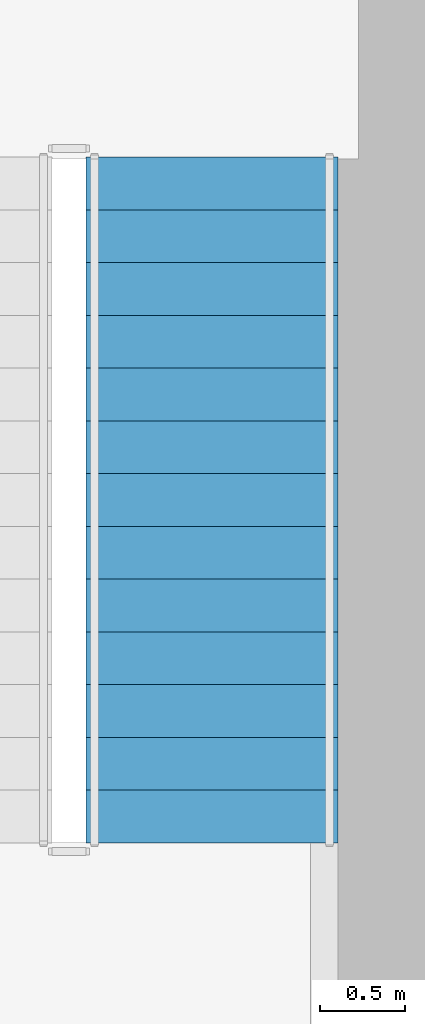
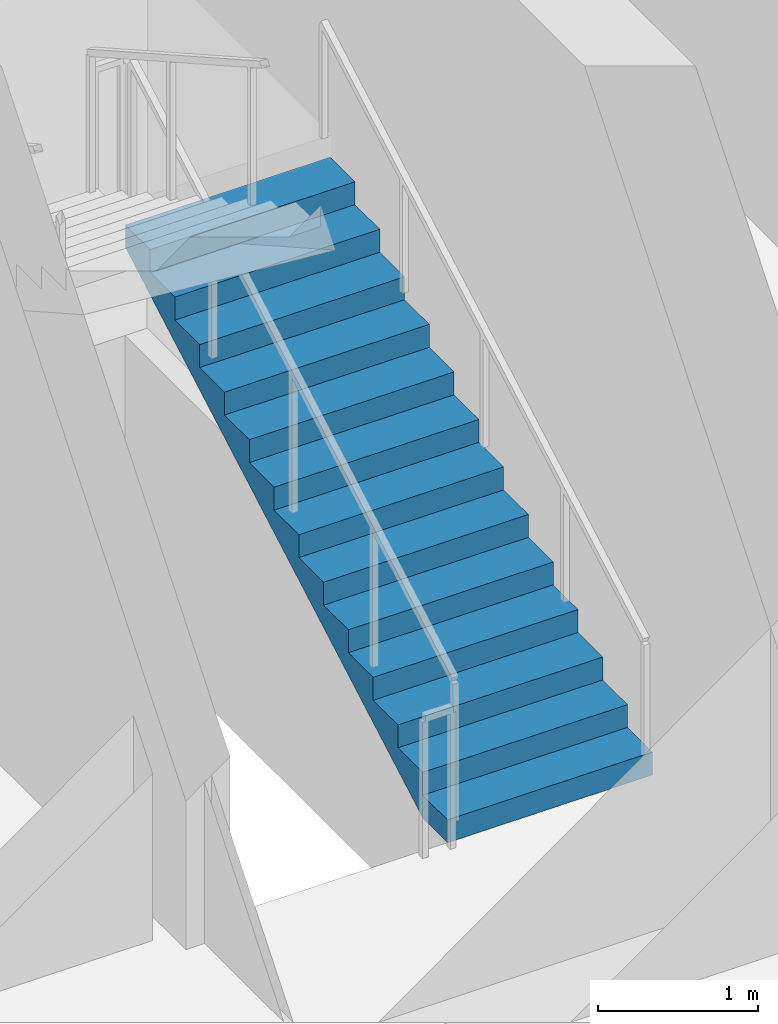
# One storey, part 14 of 16: 1 stair flight, 1 element without a shape of its own.
"""IFC4 building model written with IfcOpenShell, lengths in metres."""

from ifc_helpers import new_model, si_unit, direction, frame, origin, place, context, subcontext, project, spatial, polyline, outline, extrude, material, type_object, element, aggregate, save


model = new_model("IFC4")

# Units and contexts
model_context = context("Model", 3, precision=1e-05, world=origin(), true_north=direction((0.0, 1.0)))
body_context = subcontext(model_context, "Body", "Model", "MODEL_VIEW")
ifc_project = project(units=[si_unit("LENGTHUNIT", "METRE"), si_unit("AREAUNIT", "SQUARE_METRE"), si_unit("VOLUMEUNIT", "CUBIC_METRE"), si_unit("PLANEANGLEUNIT", "RADIAN"), si_unit("MASSUNIT", "GRAM", prefix="KILO")], contexts=[model_context])

# Site, building, storey
site_placement = place(None, origin())
site = spatial("IfcSite", under=ifc_project, at=site_placement, CompositionType="ELEMENT")
building_placement = place(site_placement, origin())
building = spatial("IfcBuilding", under=site, at=building_placement, Name="Solanera Arch Residences", CompositionType="ELEMENT")
storey_placement = place(building_placement, frame((0.0, 0.0, 278.080078125)))
storey = spatial("IfcBuildingStorey", under=building, at=storey_placement, Name="L80", CompositionType="ELEMENT", Elevation=278.080078125)

# Stair, stair flight
ifc_material_1 = material(Name="Concrete C40/50 (f'c = 45 MPa)", Category="concrete")
stair_type = type_object("IfcStairType", Name="Tower Dogleg Exit Stair 1480", PredefinedType="HALF_TURN_STAIR", material=ifc_material_1)
stair_placement = place(storey_placement, origin())
stair = element("IfcStair", 1, at=stair_placement, inside=storey, type_object=stair_type, Name="L80 Tower Core Exit Stair 2", PredefinedType="HALF_TURN_STAIR")
ifc_material_2 = material(Name="Concrete C40/50 (f'c = 45 MPa)", Category="concrete")
stair_flight_type = type_object("IfcStairFlightType", Name="Tower Precast Stair Flight 1480", PredefinedType="STRAIGHT", material=ifc_material_2)
stair_flight_placement = place(storey_placement, frame((35.320068359375, 32.47998046875, 0.0), z_axis=(0.0, 0.0, 1.0), x_axis=(0.0, 1.0, 0.0)))
stair_flight = element("IfcStairFlight", 2, at=stair_flight_placement, type_object=stair_flight_type, Name="ST-T2 flight 1", NumberOfRisers=14, NumberOfTreads=13, PredefinedType="STRAIGHT", RiserHeight=0.175, TreadLength=0.31, context=body_context, shape_type="SweptSolid", body=[
    extrude(outline(polyline([(0.0, 0.0), (0.0, 0.175048828125), (0.31005859375, 0.175048828125), (0.31005859375, 0.35009765625), (0.6201171875, 0.35009765625), (0.6201171875, 0.52490234375), (0.929931640625, 0.52490234375), (0.929931640625, 0.699951171875), (1.239990234375, 0.699951171875), (1.239990234375, 0.875), (1.550048828125, 0.875), (1.550048828125, 1.050048828125), (1.860107421875, 1.050048828125), (1.860107421875, 1.22509765625), (2.169921875, 1.22509765625), (2.169921875, 1.39990234375), (2.47998046875, 1.39990234375), (2.47998046875, 1.574951171875), (2.7900390625, 1.574951171875), (2.7900390625, 1.75), (3.10009765625, 1.75), (3.10009765625, 1.925048828125), (3.409912109375, 1.925048828125), (3.409912109375, 2.10009765625), (3.719970703125, 2.10009765625), (3.719970703125, 2.27490234375), (4.030029296875, 2.27490234375), (4.030029296875, 2.449951171875), (4.030029296875, 2.102783203125), (0.304931640625, 0.0), (0.0, 0.0)])), frame((0.0, 0.739990234375, 0.0), z_axis=(0.0, -1.0, 0.0), x_axis=(1.0, 0.0, 0.0)), (0.0, 0.0, 1.0), 1.47998046875),
])
aggregate(stair, [stair_flight])

save(model, "model.ifc")
